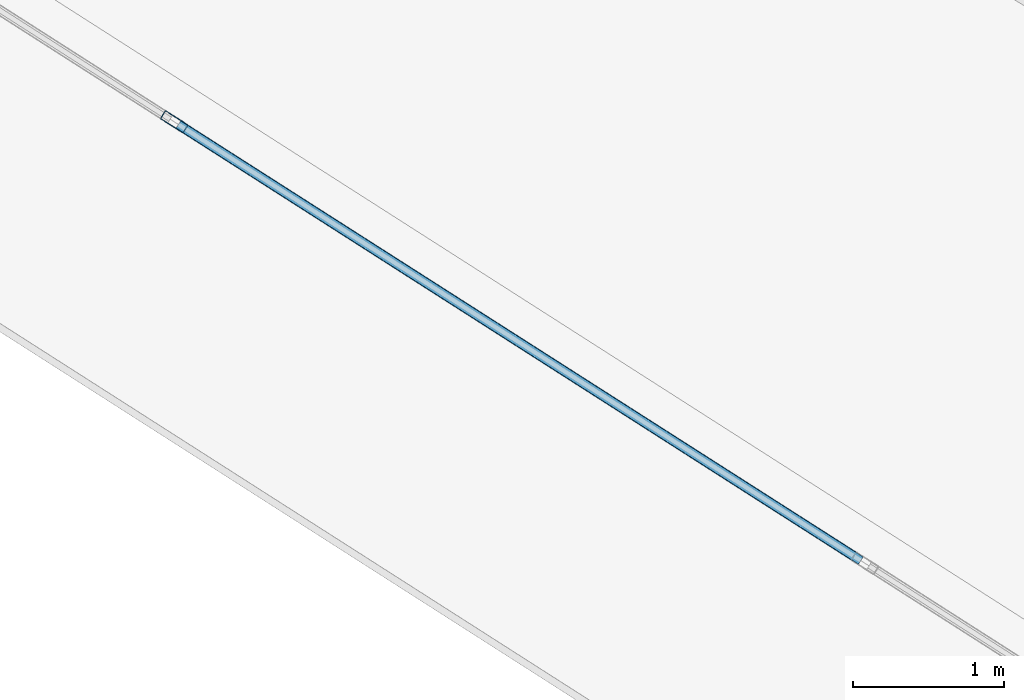
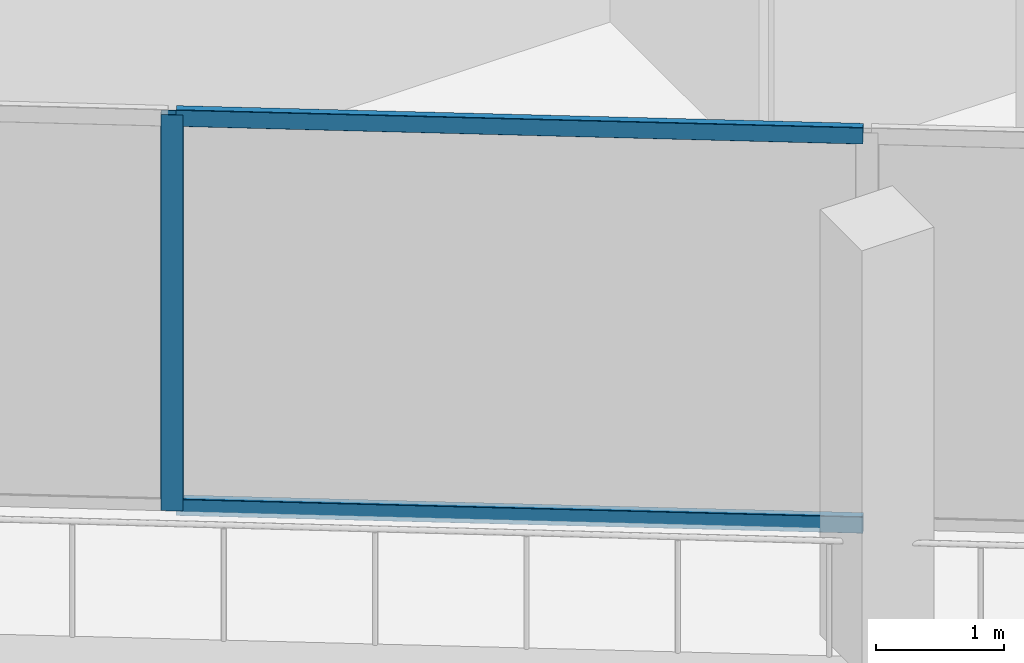
# One storey, part 5 of 42: 3 members, 1 element without a shape of its own.
"""IFC4 building model written with IfcOpenShell, lengths in metres."""

from ifc_helpers import new_model, si_unit, direction, frame, origin, origin_2d, place, context, subcontext, project, spatial, hollow_rectangle, extrude, material, layer, layer_set, material_profile, profile_set, type_object, element, aggregate, save


model = new_model("IFC4")

# Units and contexts
model_context = context("Model", 3, precision=1e-05, world=origin(), true_north=direction((0.0, 1.0)))
body_context = subcontext(model_context, "Body", "Model", "MODEL_VIEW")
ifc_project = project(units=[si_unit("LENGTHUNIT", "METRE"), si_unit("AREAUNIT", "SQUARE_METRE"), si_unit("VOLUMEUNIT", "CUBIC_METRE"), si_unit("PLANEANGLEUNIT", "RADIAN"), si_unit("MASSUNIT", "GRAM", prefix="KILO")], contexts=[model_context])

# Site, building, storey
site_placement = place(None, origin())
site = spatial("IfcSite", under=ifc_project, at=site_placement, CompositionType="ELEMENT")
building_placement = place(site_placement, origin())
building = spatial("IfcBuilding", under=site, at=building_placement, Name="Qorvath Tower", CompositionType="ELEMENT")
storey_placement = place(building_placement, frame((0.0, 0.0, 121.949951171875)))
storey = spatial("IfcBuildingStorey", under=building, at=storey_placement, Name="L27", CompositionType="ELEMENT", Elevation=121.949951171875)

# Curtain wall, members
ifc_material_1 = material(Name="Anodised aluminium and triple low-E glass", Category="aluminium")
ifc_layer = layer(ifc_material_1, 0.179931640625)
ifc_layer_set = layer_set([ifc_layer], Name="CW-SYS-2")
curtain_wall_type = type_object("IfcCurtainWallType", Name="CW-SYS-2", PredefinedType="NOTDEFINED", material=ifc_layer_set)
curtain_wall_placement = place(storey_placement, origin())
curtain_wall = element("IfcCurtainWall", 1, at=curtain_wall_placement, inside=storey, type_object=curtain_wall_type, Name="Curtain Wall CW-2 CW-T-L27-2.1", PredefinedType="NOTDEFINED")
ifc_material_2 = material(Name="Anodised aluminium 6063-T6", Category="aluminium")
ifc_material_profile_1 = material_profile(ifc_material_2, hollow_rectangle(XDim=0.06494140625, YDim=0.179931640625, WallThickness=0.00341796875, InnerFilletRadius=0.00341796875, OuterFilletRadius=0.007080078125, at=origin_2d()), Name="CWM 180x65")
ifc_profile_set_1 = profile_set([ifc_material_profile_1], Name="Anodised aluminium 6063-T6")
member_type_1 = type_object("IfcMemberType", Name="CWM-180", PredefinedType="MULLION", material=ifc_profile_set_1)
member_1_placement = place(storey_placement, frame((-44.173095703125, -12.614990234375, 0.0), z_axis=(0.0, 0.0, 1.0), x_axis=(0.538534177075, 0.842603667285, 0.0)))
member_1 = element("IfcMember", 2, at=member_1_placement, type_object=member_type_1, Name="CW-2 mullion 4", PredefinedType="MULLION", context=body_context, shape_type="SweptSolid", body=[
    extrude(hollow_rectangle(XDim=0.06494140625, YDim=0.179931640625, WallThickness=0.00341796875, InnerFilletRadius=0.00341796875, OuterFilletRadius=0.007080078125, at=origin_2d()), origin(), (0.0, 0.0, 1.0), 3.77001953125),
])
ifc_material_3 = material(Name="Anodised aluminium 6063-T6", Category="aluminium")
ifc_material_profile_2 = material_profile(ifc_material_3, hollow_rectangle(XDim=0.06494140625, YDim=0.159912109375, WallThickness=0.00341796875, InnerFilletRadius=0.00341796875, OuterFilletRadius=0.007080078125, at=origin_2d()), Name="CWT 160x65")
ifc_profile_set_2 = profile_set([ifc_material_profile_2], Name="Anodised aluminium 6063-T6")
member_type_2 = type_object("IfcMemberType", Name="CWT-160", PredefinedType="USERDEFINED", material=ifc_profile_set_2)
member_2_placement = place(storey_placement, frame((-44.145751953125, -12.632568359375, 0.032470703125), z_axis=(0.842621067422, -0.538506951428, 0.0), x_axis=(0.538506951428, 0.842621067422, 0.0)))
member_2 = element("IfcMember", 3, at=member_2_placement, type_object=member_type_2, Name="CW-2 transom 4.1", ObjectType="TRANSOM", PredefinedType="USERDEFINED", context=body_context, shape_type="SweptSolid", body=[
    extrude(hollow_rectangle(XDim=0.06494140625, YDim=0.159912109375, WallThickness=0.00341796875, InnerFilletRadius=0.00341796875, OuterFilletRadius=0.007080078125, at=origin_2d()), origin(), (0.0, 0.0, 1.0), 5.361083984375),
])
member_3_placement = place(storey_placement, frame((-44.145751953125, -12.632568359375, 3.737548828125), z_axis=(0.842621067422, -0.538506951428, 0.0), x_axis=(0.538506951428, 0.842621067422, 0.0)))
member_3 = element("IfcMember", 4, at=member_3_placement, type_object=member_type_2, Name="CW-2 transom 4.2", ObjectType="TRANSOM", PredefinedType="USERDEFINED", context=body_context, shape_type="SweptSolid", body=[
    extrude(hollow_rectangle(XDim=0.06494140625, YDim=0.159912109375, WallThickness=0.00341796875, InnerFilletRadius=0.00341796875, OuterFilletRadius=0.007080078125, at=origin_2d()), origin(), (0.0, 0.0, 1.0), 5.361083984375),
])
aggregate(curtain_wall, [member_1, member_2, member_3])

save(model, "model.ifc")
